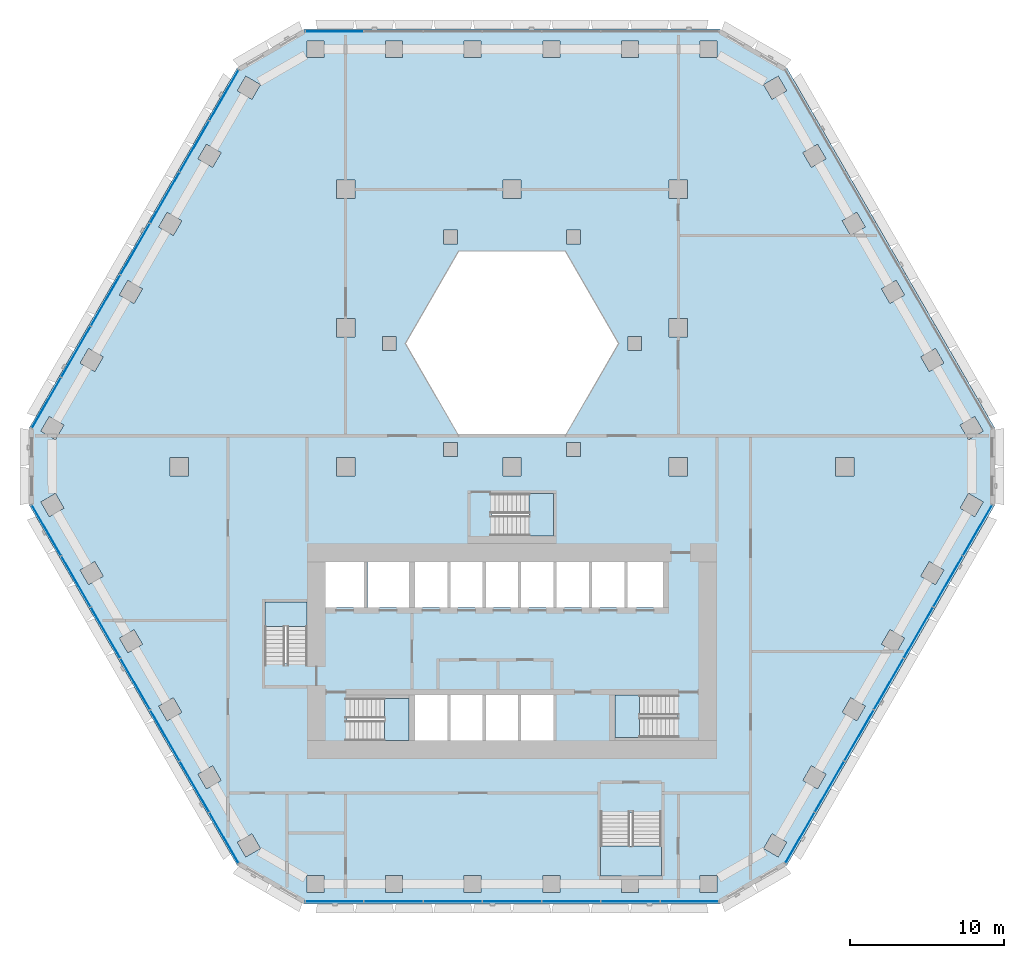
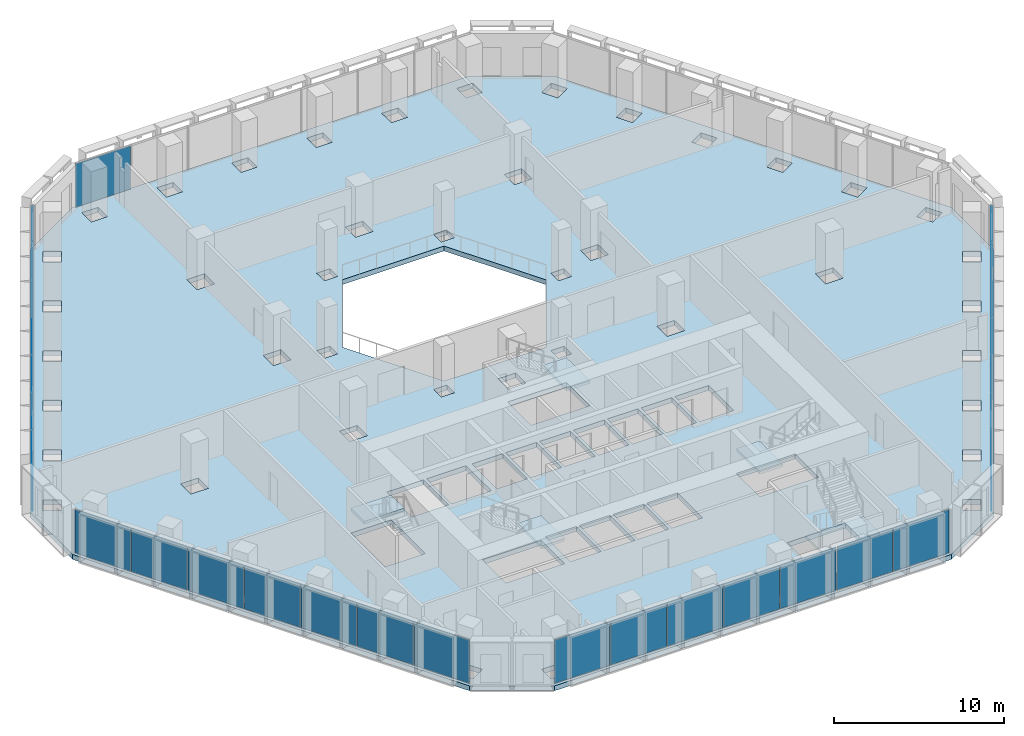
# One storey, part 10 of 25: 29 plates, 6 slabs, 10 elements without a shape of their own.
"""IFC4 building model written with IfcOpenShell, lengths in metres."""

from ifc_helpers import new_model, si_unit, direction, frame, origin, origin_2d, place, context, subcontext, project, spatial, polyline, rectangle, outline, extrude, material, layer, layer_set, type_object, element, aggregate, save


model = new_model("IFC4")

# Units and contexts
model_context = context("Model", 3, precision=1e-05, world=origin(), true_north=direction((0.0, 1.0)))
body_context = subcontext(model_context, "Body", "Model", "MODEL_VIEW")
ifc_project = project(units=[si_unit("LENGTHUNIT", "METRE"), si_unit("AREAUNIT", "SQUARE_METRE"), si_unit("VOLUMEUNIT", "CUBIC_METRE"), si_unit("PLANEANGLEUNIT", "RADIAN"), si_unit("MASSUNIT", "GRAM", prefix="KILO")], contexts=[model_context])

# Site, building, storey
site_placement = place(None, origin())
site = spatial("IfcSite", under=ifc_project, at=site_placement, CompositionType="ELEMENT")
building_placement = place(site_placement, origin())
building = spatial("IfcBuilding", under=site, at=building_placement, Name="Beryl Residences", CompositionType="ELEMENT")
storey_placement = place(building_placement, frame((0.0, 0.0, 16.199951171875)))
storey = spatial("IfcBuildingStorey", under=building, at=storey_placement, Name="L04", CompositionType="ELEMENT", Elevation=16.199951171875)

# Curtain wall, plate
ifc_material_1 = material(Name="Aluminium and clear glass", Category="aluminium")
curtain_wall_type = type_object("IfcCurtainWallType", Name="CW2 amenity glazing glazed wall", PredefinedType="NOTDEFINED", material=ifc_material_1)
curtain_wall_1_placement = place(storey_placement, origin())
curtain_wall_1 = element("IfcCurtainWall", 1, at=curtain_wall_1_placement, inside=storey, type_object=curtain_wall_type, Name="CW2 L04 N", PredefinedType="NOTDEFINED")
ifc_material_2 = material(Name="Clear laminated glass", Category="glass")
ifc_layer_1 = layer(ifc_material_2, 0.028076171875)
ifc_layer_set_1 = layer_set([ifc_layer_1], Name="CW2-P glazing panel 28 mm")
plate_type = type_object("IfcPlateType", Name="CW2-P glazing panel 28 mm", PredefinedType="CURTAIN_PANEL", material=ifc_layer_set_1)
plate_1_placement = place(storey_placement, frame((-11.53076171875, 28.25, 0.06005859375), z_axis=(0.0, 0.0, 1.0), x_axis=(-1.0, 0.0, 0.0)))
plate_1 = element("IfcPlate", 2, at=plate_1_placement, type_object=plate_type, Name="CW2 panel 7.1", PredefinedType="CURTAIN_PANEL", context=body_context, shape_type="SweptSolid", body=[
    extrude(rectangle(XDim=3.758544921875, YDim=0.028076171875, at=origin_2d()), origin(), (0.0, 0.0, 1.0), 3.1298828125),
])
aggregate(curtain_wall_1, [plate_1])

# Curtain wall, plates
curtain_wall_2_placement = place(storey_placement, origin())
curtain_wall_2 = element("IfcCurtainWall", 3, at=curtain_wall_2_placement, inside=storey, type_object=curtain_wall_type, Name="CW2 L04 NW", PredefinedType="NOTDEFINED")
plate_2_placement = place(storey_placement, frame((-18.69970703125, 24.110595703125, 0.06005859375), z_axis=(0.0, 0.0, 1.0), x_axis=(-0.500011643322, -0.866018681405, 0.0)))
plate_2 = element("IfcPlate", 4, at=plate_2_placement, type_object=plate_type, Name="CW2 panel 1.1", PredefinedType="CURTAIN_PANEL", context=body_context, shape_type="SweptSolid", body=[
    extrude(rectangle(XDim=3.758544921875, YDim=0.028076171875, at=origin_2d()), origin(), (0.0, 0.0, 1.0), 3.1298828125),
])
plate_3_placement = place(storey_placement, frame((-20.616455078125, 20.790771484375, 0.06005859375), z_axis=(0.0, 0.0, 1.0), x_axis=(-0.500011643322, -0.866018681405, 0.0)))
plate_3 = element("IfcPlate", 5, at=plate_3_placement, type_object=plate_type, Name="CW2 panel 2.1", PredefinedType="CURTAIN_PANEL", context=body_context, shape_type="SweptSolid", body=[
    extrude(rectangle(XDim=3.78857421875, YDim=0.028076171875, at=origin_2d()), origin(), (0.0, 0.0, 1.0), 3.1298828125),
])
plate_4_placement = place(storey_placement, frame((-22.540771484375, 17.457763671875, 0.06005859375), z_axis=(0.0, 0.0, 1.0), x_axis=(-0.500011643322, -0.866018681405, 0.0)))
plate_4 = element("IfcPlate", 6, at=plate_4_placement, type_object=plate_type, Name="CW2 panel 3.1", PredefinedType="CURTAIN_PANEL", context=body_context, shape_type="SweptSolid", body=[
    extrude(rectangle(XDim=3.78857421875, YDim=0.028076171875, at=origin_2d()), origin(), (0.0, 0.0, 1.0), 3.1298828125),
])
plate_5_placement = place(storey_placement, frame((-24.465087890625, 14.125, 0.06005859375), z_axis=(0.0, 0.0, 1.0), x_axis=(-0.500011643322, -0.866018681405, 0.0)))
plate_5 = element("IfcPlate", 7, at=plate_5_placement, type_object=plate_type, Name="CW2 panel 4.1", PredefinedType="CURTAIN_PANEL", context=body_context, shape_type="SweptSolid", body=[
    extrude(rectangle(XDim=3.78857421875, YDim=0.028076171875, at=origin_2d()), origin(), (0.0, 0.0, 1.0), 3.1298828125),
])
plate_6_placement = place(storey_placement, frame((-26.389404296875, 10.792236328125, 0.06005859375), z_axis=(0.0, 0.0, 1.0), x_axis=(-0.500011643322, -0.866018681405, 0.0)))
plate_6 = element("IfcPlate", 8, at=plate_6_placement, type_object=plate_type, Name="CW2 panel 5.1", PredefinedType="CURTAIN_PANEL", context=body_context, shape_type="SweptSolid", body=[
    extrude(rectangle(XDim=3.78857421875, YDim=0.028076171875, at=origin_2d()), origin(), (0.0, 0.0, 1.0), 3.1298828125),
])
plate_7_placement = place(storey_placement, frame((-28.3134765625, 7.459228515625, 0.06005859375), z_axis=(0.0, 0.0, 1.0), x_axis=(-0.500011643322, -0.866018681405, 0.0)))
plate_7 = element("IfcPlate", 9, at=plate_7_placement, type_object=plate_type, Name="CW2 panel 6.1", PredefinedType="CURTAIN_PANEL", context=body_context, shape_type="SweptSolid", body=[
    extrude(rectangle(XDim=3.78857421875, YDim=0.028076171875, at=origin_2d()), origin(), (0.0, 0.0, 1.0), 3.1298828125),
])
plate_8_placement = place(storey_placement, frame((-30.23046875, 4.139404296875, 0.06005859375), z_axis=(0.0, 0.0, 1.0), x_axis=(-0.500011643322, -0.866018681405, 0.0)))
plate_8 = element("IfcPlate", 10, at=plate_8_placement, type_object=plate_type, Name="CW2 panel 7.1", PredefinedType="CURTAIN_PANEL", context=body_context, shape_type="SweptSolid", body=[
    extrude(rectangle(XDim=3.758544921875, YDim=0.028076171875, at=origin_2d()), origin(), (0.0, 0.0, 1.0), 3.1298828125),
])
aggregate(curtain_wall_2, [plate_2, plate_3, plate_4, plate_5, plate_6, plate_7, plate_8])

curtain_wall_3_placement = place(storey_placement, origin())
curtain_wall_3 = element("IfcCurtainWall", 11, at=curtain_wall_3_placement, inside=storey, type_object=curtain_wall_type, Name="CW2 L04 SW", PredefinedType="NOTDEFINED")
plate_9_placement = place(storey_placement, frame((-30.23046875, -4.139404296875, 0.06005859375), z_axis=(0.0, 0.0, 1.0), x_axis=(0.500011643322, -0.866018681405, 0.0)))
plate_9 = element("IfcPlate", 12, at=plate_9_placement, type_object=plate_type, Name="CW2 panel 1.1", PredefinedType="CURTAIN_PANEL", context=body_context, shape_type="SweptSolid", body=[
    extrude(rectangle(XDim=3.758544921875, YDim=0.028076171875, at=origin_2d()), origin(), (0.0, 0.0, 1.0), 3.1298828125),
])
plate_10_placement = place(storey_placement, frame((-28.3134765625, -7.459228515625, 0.06005859375), z_axis=(0.0, 0.0, 1.0), x_axis=(0.500011643322, -0.866018681405, 0.0)))
plate_10 = element("IfcPlate", 13, at=plate_10_placement, type_object=plate_type, Name="CW2 panel 2.1", PredefinedType="CURTAIN_PANEL", context=body_context, shape_type="SweptSolid", body=[
    extrude(rectangle(XDim=3.78857421875, YDim=0.028076171875, at=origin_2d()), origin(), (0.0, 0.0, 1.0), 3.1298828125),
])
plate_11_placement = place(storey_placement, frame((-26.389404296875, -10.792236328125, 0.06005859375), z_axis=(0.0, 0.0, 1.0), x_axis=(0.500011643322, -0.866018681405, 0.0)))
plate_11 = element("IfcPlate", 14, at=plate_11_placement, type_object=plate_type, Name="CW2 panel 3.1", PredefinedType="CURTAIN_PANEL", context=body_context, shape_type="SweptSolid", body=[
    extrude(rectangle(XDim=3.78857421875, YDim=0.028076171875, at=origin_2d()), origin(), (0.0, 0.0, 1.0), 3.1298828125),
])
plate_12_placement = place(storey_placement, frame((-24.465087890625, -14.125, 0.06005859375), z_axis=(0.0, 0.0, 1.0), x_axis=(0.500011643322, -0.866018681405, 0.0)))
plate_12 = element("IfcPlate", 15, at=plate_12_placement, type_object=plate_type, Name="CW2 panel 4.1", PredefinedType="CURTAIN_PANEL", context=body_context, shape_type="SweptSolid", body=[
    extrude(rectangle(XDim=3.78857421875, YDim=0.028076171875, at=origin_2d()), origin(), (0.0, 0.0, 1.0), 3.1298828125),
])
plate_13_placement = place(storey_placement, frame((-22.540771484375, -17.457763671875, 0.06005859375), z_axis=(0.0, 0.0, 1.0), x_axis=(0.500011643322, -0.866018681405, 0.0)))
plate_13 = element("IfcPlate", 16, at=plate_13_placement, type_object=plate_type, Name="CW2 panel 5.1", PredefinedType="CURTAIN_PANEL", context=body_context, shape_type="SweptSolid", body=[
    extrude(rectangle(XDim=3.78857421875, YDim=0.028076171875, at=origin_2d()), origin(), (0.0, 0.0, 1.0), 3.1298828125),
])
plate_14_placement = place(storey_placement, frame((-20.616455078125, -20.790771484375, 0.06005859375), z_axis=(0.0, 0.0, 1.0), x_axis=(0.500011643322, -0.866018681405, 0.0)))
plate_14 = element("IfcPlate", 17, at=plate_14_placement, type_object=plate_type, Name="CW2 panel 6.1", PredefinedType="CURTAIN_PANEL", context=body_context, shape_type="SweptSolid", body=[
    extrude(rectangle(XDim=3.78857421875, YDim=0.028076171875, at=origin_2d()), origin(), (0.0, 0.0, 1.0), 3.1298828125),
])
plate_15_placement = place(storey_placement, frame((-18.69970703125, -24.110595703125, 0.06005859375), z_axis=(0.0, 0.0, 1.0), x_axis=(0.500011643322, -0.866018681405, 0.0)))
plate_15 = element("IfcPlate", 18, at=plate_15_placement, type_object=plate_type, Name="CW2 panel 7.1", PredefinedType="CURTAIN_PANEL", context=body_context, shape_type="SweptSolid", body=[
    extrude(rectangle(XDim=3.758544921875, YDim=0.028076171875, at=origin_2d()), origin(), (0.0, 0.0, 1.0), 3.1298828125),
])
aggregate(curtain_wall_3, [plate_9, plate_10, plate_11, plate_12, plate_13, plate_14, plate_15])

curtain_wall_4_placement = place(storey_placement, origin())
curtain_wall_4 = element("IfcCurtainWall", 19, at=curtain_wall_4_placement, inside=storey, type_object=curtain_wall_type, Name="CW2 L04 S", PredefinedType="NOTDEFINED")
plate_16_placement = place(storey_placement, frame((-11.53076171875, -28.25, 0.06005859375), z_axis=(0.0, 0.0, 1.0), x_axis=(1.0, 0.0, 0.0)))
plate_16 = element("IfcPlate", 20, at=plate_16_placement, type_object=plate_type, Name="CW2 panel 1.1", PredefinedType="CURTAIN_PANEL", context=body_context, shape_type="SweptSolid", body=[
    extrude(rectangle(XDim=3.758544921875, YDim=0.028076171875, at=origin_2d()), origin(), (0.0, 0.0, 1.0), 3.1298828125),
])
plate_17_placement = place(storey_placement, frame((-7.697021484375, -28.25, 0.06005859375), z_axis=(0.0, 0.0, 1.0), x_axis=(1.0, 0.0, 0.0)))
plate_17 = element("IfcPlate", 21, at=plate_17_placement, type_object=plate_type, Name="CW2 panel 2.1", PredefinedType="CURTAIN_PANEL", context=body_context, shape_type="SweptSolid", body=[
    extrude(rectangle(XDim=3.78857421875, YDim=0.028076171875, at=origin_2d()), origin(), (0.0, 0.0, 1.0), 3.1298828125),
])
plate_18_placement = place(storey_placement, frame((-3.8486328125, -28.25, 0.06005859375), z_axis=(0.0, 0.0, 1.0), x_axis=(1.0, 0.0, 0.0)))
plate_18 = element("IfcPlate", 22, at=plate_18_placement, type_object=plate_type, Name="CW2 panel 3.1", PredefinedType="CURTAIN_PANEL", context=body_context, shape_type="SweptSolid", body=[
    extrude(rectangle(XDim=3.78857421875, YDim=0.028076171875, at=origin_2d()), origin(), (0.0, 0.0, 1.0), 3.1298828125),
])
plate_19_placement = place(storey_placement, frame((0.0, -28.25, 0.06005859375), z_axis=(0.0, 0.0, 1.0), x_axis=(1.0, 0.0, 0.0)))
plate_19 = element("IfcPlate", 23, at=plate_19_placement, type_object=plate_type, Name="CW2 panel 4.1", PredefinedType="CURTAIN_PANEL", context=body_context, shape_type="SweptSolid", body=[
    extrude(rectangle(XDim=3.78857421875, YDim=0.028076171875, at=origin_2d()), origin(), (0.0, 0.0, 1.0), 3.1298828125),
])
plate_20_placement = place(storey_placement, frame((3.8486328125, -28.25, 0.06005859375), z_axis=(0.0, 0.0, 1.0), x_axis=(1.0, 0.0, 0.0)))
plate_20 = element("IfcPlate", 24, at=plate_20_placement, type_object=plate_type, Name="CW2 panel 5.1", PredefinedType="CURTAIN_PANEL", context=body_context, shape_type="SweptSolid", body=[
    extrude(rectangle(XDim=3.78857421875, YDim=0.028076171875, at=origin_2d()), origin(), (0.0, 0.0, 1.0), 3.1298828125),
])
plate_21_placement = place(storey_placement, frame((7.697021484375, -28.25, 0.06005859375), z_axis=(0.0, 0.0, 1.0), x_axis=(1.0, 0.0, 0.0)))
plate_21 = element("IfcPlate", 25, at=plate_21_placement, type_object=plate_type, Name="CW2 panel 6.1", PredefinedType="CURTAIN_PANEL", context=body_context, shape_type="SweptSolid", body=[
    extrude(rectangle(XDim=3.78857421875, YDim=0.028076171875, at=origin_2d()), origin(), (0.0, 0.0, 1.0), 3.1298828125),
])
plate_22_placement = place(storey_placement, frame((11.53076171875, -28.25, 0.06005859375), z_axis=(0.0, 0.0, 1.0), x_axis=(1.0, 0.0, 0.0)))
plate_22 = element("IfcPlate", 26, at=plate_22_placement, type_object=plate_type, Name="CW2 panel 7.1", PredefinedType="CURTAIN_PANEL", context=body_context, shape_type="SweptSolid", body=[
    extrude(rectangle(XDim=3.758544921875, YDim=0.028076171875, at=origin_2d()), origin(), (0.0, 0.0, 1.0), 3.1298828125),
])
aggregate(curtain_wall_4, [plate_16, plate_17, plate_18, plate_19, plate_20, plate_21, plate_22])

curtain_wall_5_placement = place(storey_placement, origin())
curtain_wall_5 = element("IfcCurtainWall", 27, at=curtain_wall_5_placement, inside=storey, type_object=curtain_wall_type, Name="CW2 L04 SE", PredefinedType="NOTDEFINED")
plate_23_placement = place(storey_placement, frame((18.69970703125, -24.110595703125, 0.06005859375), z_axis=(0.0, 0.0, 1.0), x_axis=(0.500011643322, 0.866018681405, 0.0)))
plate_23 = element("IfcPlate", 28, at=plate_23_placement, type_object=plate_type, Name="CW2 panel 1.1", PredefinedType="CURTAIN_PANEL", context=body_context, shape_type="SweptSolid", body=[
    extrude(rectangle(XDim=3.758544921875, YDim=0.028076171875, at=origin_2d()), origin(), (0.0, 0.0, 1.0), 3.1298828125),
])
plate_24_placement = place(storey_placement, frame((20.616455078125, -20.790771484375, 0.06005859375), z_axis=(0.0, 0.0, 1.0), x_axis=(0.500011643322, 0.866018681405, 0.0)))
plate_24 = element("IfcPlate", 29, at=plate_24_placement, type_object=plate_type, Name="CW2 panel 2.1", PredefinedType="CURTAIN_PANEL", context=body_context, shape_type="SweptSolid", body=[
    extrude(rectangle(XDim=3.78857421875, YDim=0.028076171875, at=origin_2d()), origin(), (0.0, 0.0, 1.0), 3.1298828125),
])
plate_25_placement = place(storey_placement, frame((22.540771484375, -17.457763671875, 0.06005859375), z_axis=(0.0, 0.0, 1.0), x_axis=(0.500011643322, 0.866018681405, 0.0)))
plate_25 = element("IfcPlate", 30, at=plate_25_placement, type_object=plate_type, Name="CW2 panel 3.1", PredefinedType="CURTAIN_PANEL", context=body_context, shape_type="SweptSolid", body=[
    extrude(rectangle(XDim=3.78857421875, YDim=0.028076171875, at=origin_2d()), origin(), (0.0, 0.0, 1.0), 3.1298828125),
])
plate_26_placement = place(storey_placement, frame((24.465087890625, -14.125, 0.06005859375), z_axis=(0.0, 0.0, 1.0), x_axis=(0.500011643322, 0.866018681405, 0.0)))
plate_26 = element("IfcPlate", 31, at=plate_26_placement, type_object=plate_type, Name="CW2 panel 4.1", PredefinedType="CURTAIN_PANEL", context=body_context, shape_type="SweptSolid", body=[
    extrude(rectangle(XDim=3.78857421875, YDim=0.028076171875, at=origin_2d()), origin(), (0.0, 0.0, 1.0), 3.1298828125),
])
plate_27_placement = place(storey_placement, frame((26.389404296875, -10.792236328125, 0.06005859375), z_axis=(0.0, 0.0, 1.0), x_axis=(0.500011643322, 0.866018681405, 0.0)))
plate_27 = element("IfcPlate", 32, at=plate_27_placement, type_object=plate_type, Name="CW2 panel 5.1", PredefinedType="CURTAIN_PANEL", context=body_context, shape_type="SweptSolid", body=[
    extrude(rectangle(XDim=3.78857421875, YDim=0.028076171875, at=origin_2d()), origin(), (0.0, 0.0, 1.0), 3.1298828125),
])
plate_28_placement = place(storey_placement, frame((28.3134765625, -7.459228515625, 0.06005859375), z_axis=(0.0, 0.0, 1.0), x_axis=(0.500011643322, 0.866018681405, 0.0)))
plate_28 = element("IfcPlate", 33, at=plate_28_placement, type_object=plate_type, Name="CW2 panel 6.1", PredefinedType="CURTAIN_PANEL", context=body_context, shape_type="SweptSolid", body=[
    extrude(rectangle(XDim=3.78857421875, YDim=0.028076171875, at=origin_2d()), origin(), (0.0, 0.0, 1.0), 3.1298828125),
])
plate_29_placement = place(storey_placement, frame((30.23046875, -4.139404296875, 0.06005859375), z_axis=(0.0, 0.0, 1.0), x_axis=(0.500011643322, 0.866018681405, 0.0)))
plate_29 = element("IfcPlate", 34, at=plate_29_placement, type_object=plate_type, Name="CW2 panel 7.1", PredefinedType="CURTAIN_PANEL", context=body_context, shape_type="SweptSolid", body=[
    extrude(rectangle(XDim=3.758544921875, YDim=0.028076171875, at=origin_2d()), origin(), (0.0, 0.0, 1.0), 3.1298828125),
])
aggregate(curtain_wall_5, [plate_23, plate_24, plate_25, plate_26, plate_27, plate_28, plate_29])

# Slab
ifc_material_3 = material(Name="Concrete C40/50", Category="concrete")
ifc_layer_2 = layer(ifc_material_3, 0.35009765625)
ifc_layer_set_2 = layer_set([ifc_layer_2], Name="SL5 PT floor slab 350 mm C40/50")
slab_type_1 = type_object("IfcSlabType", Name="SL5 PT floor slab 350 mm C40/50", PredefinedType="FLOOR", material=ifc_layer_set_2)
slab_1_placement = place(storey_placement, frame((0.0, 0.0, -0.349853515625)))
element("IfcSlab", 35, at=slab_1_placement, inside=storey, type_object=slab_type_1, Name="L04 slab 1", PredefinedType="FLOOR", context=body_context, shape_type="SweptSolid", body=[
    extrude(outline(polyline([(31.35009765625, -2.5), (17.840087890625, -25.89990234375), (13.510009765625, -28.39990234375), (-13.510009765625, -28.39990234375), (-17.840087890625, -25.89990234375), (-31.35009765625, -2.5), (-31.35009765625, 2.5), (-17.840087890625, 25.89990234375), (-13.510009765625, 28.39990234375), (13.510009765625, 28.39990234375), (17.840087890625, 25.89990234375), (31.35009765625, 2.5), (31.35009765625, -2.5)]), holes=[polyline([(29.64794921875, -1.748046875), (29.097900390625, -2.699951171875), (30.050048828125, -3.25), (30.60009765625, -2.298095703125), (29.64794921875, -1.748046875)]), polyline([(30.59912109375, 2.299072265625), (30.049072265625, 3.2509765625), (29.096923828125, 2.700927734375), (29.64697265625, 1.7490234375), (30.59912109375, 2.299072265625)]), polyline([(28.049072265625, -6.718017578125), (27.096923828125, -6.16796875), (26.547119140625, -7.1201171875), (27.4990234375, -7.669921875), (28.049072265625, -6.718017578125)]), polyline([(26.5458984375, 7.1220703125), (27.095947265625, 6.169921875), (28.048095703125, 6.719970703125), (27.498046875, 7.672119140625), (26.5458984375, 7.1220703125)]), polyline([(25.4970703125, -11.137939453125), (24.544921875, -10.587890625), (23.9951171875, -11.5400390625), (24.947021484375, -12.090087890625), (25.4970703125, -11.137939453125)]), polyline([(24.946044921875, 12.092041015625), (23.993896484375, 11.5419921875), (24.5439453125, 10.590087890625), (25.49609375, 11.139892578125), (24.946044921875, 12.092041015625)]), polyline([(21.992919921875, -15.008056640625), (21.443115234375, -15.9599609375), (22.39501953125, -16.510009765625), (22.945068359375, -15.55810546875), (21.992919921875, -15.008056640625)]), polyline([(22.39404296875, 16.511962890625), (21.44189453125, 15.9619140625), (21.991943359375, 15.010009765625), (22.944091796875, 15.56005859375), (22.39404296875, 16.511962890625)]), polyline([(21.0, -0.60009765625), (22.199951171875, -0.60009765625), (22.199951171875, 0.60009765625), (21.0, 0.60009765625), (21.0, -0.60009765625)]), polyline([(19.843017578125, -20.930908203125), (20.39306640625, -19.97900390625), (19.44091796875, -19.428955078125), (18.89111328125, -20.381103515625), (19.843017578125, -20.930908203125)]), polyline([(19.842041015625, 20.931884765625), (18.889892578125, 20.382080078125), (19.43994140625, 19.429931640625), (20.39208984375, 19.97998046875), (19.842041015625, 20.931884765625)]), polyline([(17.841064453125, -24.39892578125), (16.888916015625, -23.84912109375), (16.339111328125, -24.801025390625), (17.291015625, -25.35107421875), (17.841064453125, -24.39892578125)]), polyline([(17.840087890625, 24.39990234375), (17.2900390625, 25.35205078125), (16.337890625, 24.802001953125), (16.887939453125, 23.85009765625), (17.840087890625, 24.39990234375)]), polyline([(13.31103515625, -27.64990234375), (13.31103515625, -26.550048828125), (12.2109375, -26.550048828125), (12.2109375, -27.64990234375), (13.31103515625, -27.64990234375)]), polyline([(13.30908203125, 27.64990234375), (12.208984375, 27.64990234375), (12.208984375, 26.550048828125), (13.30908203125, 26.550048828125), (13.30908203125, 27.64990234375)]), polyline([(11.39990234375, 17.39990234375), (11.39990234375, 18.60009765625), (10.199951171875, 18.60009765625), (10.199951171875, 17.39990234375), (11.39990234375, 17.39990234375)]), polyline([(11.39990234375, -0.60009765625), (11.39990234375, 0.60009765625), (10.199951171875, 0.60009765625), (10.199951171875, -0.60009765625), (11.39990234375, -0.60009765625)]), polyline([(11.39990234375, 8.39990234375), (11.39990234375, 9.60009765625), (10.199951171875, 9.60009765625), (10.199951171875, 8.39990234375), (11.39990234375, 8.39990234375)]), polyline([(6.699951171875, -14.85009765625), (6.699951171875, -17.60009765625), (10.699951171875, -17.60009765625), (10.699951171875, -14.85009765625), (6.699951171875, -14.85009765625)]), polyline([(9.800048828125, -6.199951171875), (7.5, -6.199951171875), (7.5, -9.14990234375), (9.800048828125, -9.14990234375), (9.800048828125, -6.199951171875)]), polyline([(7.10693359375, -27.64990234375), (8.20703125, -27.64990234375), (8.20703125, -26.60009765625), (9.699951171875, -26.60009765625), (9.699951171875, -22.5), (5.75, -22.5), (5.75, -26.60009765625), (7.10693359375, -26.60009765625), (7.10693359375, -27.64990234375)]), polyline([(8.4169921875, 7.550048828125), (8.4169921875, 8.449951171875), (7.51708984375, 8.449951171875), (7.51708984375, 7.550048828125), (8.4169921875, 7.550048828125)]), polyline([(7.10498046875, 27.64990234375), (7.10498046875, 26.550048828125), (8.205078125, 26.550048828125), (8.205078125, 27.64990234375), (7.10498046875, 27.64990234375)]), polyline([(5.199951171875, -6.199951171875), (5.199951171875, -9.14990234375), (7.300048828125, -9.14990234375), (7.300048828125, -6.199951171875), (5.199951171875, -6.199951171875)]), polyline([(3.464111328125, 14.0), (-3.464111328125, 14.0), (-6.92822265625, 8.0), (-3.464111328125, 2.0), (3.464111328125, 2.0), (6.92822265625, 8.0), (3.464111328125, 14.0)]), polyline([(2.89990234375, -9.14990234375), (5.0, -9.14990234375), (5.0, -6.199951171875), (2.89990234375, -6.199951171875), (2.89990234375, -9.14990234375)]), polyline([(4.43408203125, 14.449951171875), (4.43408203125, 15.35009765625), (3.533935546875, 15.35009765625), (3.533935546875, 14.449951171875), (4.43408203125, 14.449951171875)]), polyline([(4.43408203125, 0.64990234375), (4.43408203125, 1.550048828125), (3.533935546875, 1.550048828125), (3.533935546875, 0.64990234375), (4.43408203125, 0.64990234375)]), polyline([(3.10302734375, -27.64990234375), (3.10302734375, -26.550048828125), (2.0029296875, -26.550048828125), (2.0029296875, -27.64990234375), (3.10302734375, -27.64990234375)]), polyline([(2.0009765625, 26.550048828125), (3.10107421875, 26.550048828125), (3.10107421875, 27.64990234375), (2.0009765625, 27.64990234375), (2.0009765625, 26.550048828125)]), polyline([(-1.300048828125, -1.75), (-1.300048828125, -4.5), (2.699951171875, -4.5), (2.699951171875, -1.75), (-1.300048828125, -1.75)]), polyline([(0.60009765625, -9.14990234375), (2.699951171875, -9.14990234375), (2.699951171875, -6.199951171875), (0.60009765625, -6.199951171875), (0.60009765625, -9.14990234375)]), polyline([(0.60009765625, -17.800048828125), (2.699951171875, -17.800048828125), (2.699951171875, -14.85009765625), (0.60009765625, -14.85009765625), (0.60009765625, -17.800048828125)]), polyline([(0.60009765625, -0.60009765625), (0.60009765625, 0.60009765625), (-0.60009765625, 0.60009765625), (-0.60009765625, -0.60009765625), (0.60009765625, -0.60009765625)]), polyline([(0.60009765625, 17.39990234375), (0.60009765625, 18.60009765625), (-0.60009765625, 18.60009765625), (-0.60009765625, 17.39990234375), (0.60009765625, 17.39990234375)]), polyline([(-1.699951171875, -9.14990234375), (0.39990234375, -9.14990234375), (0.39990234375, -6.199951171875), (-1.699951171875, -6.199951171875), (-1.699951171875, -9.14990234375)]), polyline([(-1.699951171875, -17.800048828125), (0.39990234375, -17.800048828125), (0.39990234375, -14.85009765625), (-1.699951171875, -14.85009765625), (-1.699951171875, -17.800048828125)]), polyline([(-4.0, -17.800048828125), (-1.89990234375, -17.800048828125), (-1.89990234375, -14.85009765625), (-4.0, -14.85009765625), (-4.0, -17.800048828125)]), polyline([(-4.0, -6.199951171875), (-4.0, -9.14990234375), (-1.89990234375, -9.14990234375), (-1.89990234375, -6.199951171875), (-4.0, -6.199951171875)]), polyline([(-2.0009765625, -26.550048828125), (-3.10107421875, -26.550048828125), (-3.10107421875, -27.64990234375), (-2.0009765625, -27.64990234375), (-2.0009765625, -26.550048828125)]), polyline([(-3.10302734375, 27.64990234375), (-3.10302734375, 26.550048828125), (-2.0029296875, 26.550048828125), (-2.0029296875, 27.64990234375), (-3.10302734375, 27.64990234375)]), polyline([(-3.533935546875, 15.35009765625), (-4.43408203125, 15.35009765625), (-4.43408203125, 14.449951171875), (-3.533935546875, 14.449951171875), (-3.533935546875, 15.35009765625)]), polyline([(-3.533935546875, 0.64990234375), (-3.533935546875, 1.550048828125), (-4.43408203125, 1.550048828125), (-4.43408203125, 0.64990234375), (-3.533935546875, 0.64990234375)]), polyline([(-4.199951171875, -6.199951171875), (-6.300048828125, -6.199951171875), (-6.300048828125, -9.14990234375), (-4.199951171875, -9.14990234375), (-4.199951171875, -6.199951171875)]), polyline([(-6.300048828125, -17.800048828125), (-4.199951171875, -17.800048828125), (-4.199951171875, -14.85009765625), (-6.300048828125, -14.85009765625), (-6.300048828125, -17.800048828125)]), polyline([(-6.699951171875, -17.800048828125), (-6.699951171875, -15.050048828125), (-10.699951171875, -15.050048828125), (-10.699951171875, -17.800048828125), (-6.699951171875, -17.800048828125)]), polyline([(-9.39990234375, -9.14990234375), (-6.699951171875, -9.14990234375), (-6.699951171875, -6.199951171875), (-9.39990234375, -6.199951171875), (-9.39990234375, -9.14990234375)]), polyline([(-8.205078125, -27.64990234375), (-7.10498046875, -27.64990234375), (-7.10498046875, -26.550048828125), (-8.205078125, -26.550048828125), (-8.205078125, -27.64990234375)]), polyline([(-8.20703125, 27.64990234375), (-8.20703125, 26.550048828125), (-7.10693359375, 26.550048828125), (-7.10693359375, 27.64990234375), (-8.20703125, 27.64990234375)]), polyline([(-7.51708984375, 7.550048828125), (-7.51708984375, 8.449951171875), (-8.4169921875, 8.449951171875), (-8.4169921875, 7.550048828125), (-7.51708984375, 7.550048828125)]), polyline([(-12.10009765625, -9.14990234375), (-9.60009765625, -9.14990234375), (-9.60009765625, -6.199951171875), (-12.10009765625, -6.199951171875), (-12.10009765625, -9.14990234375)]), polyline([(-10.199951171875, 17.39990234375), (-10.199951171875, 18.60009765625), (-11.39990234375, 18.60009765625), (-11.39990234375, 17.39990234375), (-10.199951171875, 17.39990234375)]), polyline([(-11.39990234375, 8.39990234375), (-10.199951171875, 8.39990234375), (-10.199951171875, 9.60009765625), (-11.39990234375, 9.60009765625), (-11.39990234375, 8.39990234375)]), polyline([(-10.199951171875, -0.60009765625), (-10.199951171875, 0.60009765625), (-11.39990234375, 0.60009765625), (-11.39990234375, -0.60009765625), (-10.199951171875, -0.60009765625)]), polyline([(-12.208984375, -26.550048828125), (-13.30908203125, -26.550048828125), (-13.30908203125, -27.64990234375), (-12.208984375, -27.64990234375), (-12.208984375, -26.550048828125)]), polyline([(-13.31103515625, 27.64990234375), (-13.31103515625, 26.550048828125), (-12.2109375, 26.550048828125), (-12.2109375, 27.64990234375), (-13.31103515625, 27.64990234375)]), polyline([(-13.300048828125, -8.800048828125), (-16.050048828125, -8.800048828125), (-16.050048828125, -12.800048828125), (-13.300048828125, -12.800048828125), (-13.300048828125, -8.800048828125)]), polyline([(-17.2900390625, -25.35205078125), (-16.337890625, -24.802001953125), (-16.887939453125, -23.85009765625), (-17.840087890625, -24.39990234375), (-17.2900390625, -25.35205078125)]), polyline([(-16.888916015625, 23.84912109375), (-16.339111328125, 24.801025390625), (-17.291015625, 25.35107421875), (-17.841064453125, 24.39892578125), (-16.888916015625, 23.84912109375)]), polyline([(-19.842041015625, -20.931884765625), (-18.889892578125, -20.382080078125), (-19.43994140625, -19.429931640625), (-20.39208984375, -19.97998046875), (-19.842041015625, -20.931884765625)]), polyline([(-20.39306640625, 19.97900390625), (-19.44091796875, 19.428955078125), (-18.89111328125, 20.381103515625), (-19.843017578125, 20.930908203125), (-20.39306640625, 19.97900390625)]), polyline([(-21.0, -0.60009765625), (-21.0, 0.60009765625), (-22.199951171875, 0.60009765625), (-22.199951171875, -0.60009765625), (-21.0, -0.60009765625)]), polyline([(-21.44189453125, -15.9619140625), (-21.991943359375, -15.010009765625), (-22.944091796875, -15.56005859375), (-22.39404296875, -16.511962890625), (-21.44189453125, -15.9619140625)]), polyline([(-21.992919921875, 15.008056640625), (-21.443115234375, 15.9599609375), (-22.39501953125, 16.510009765625), (-22.945068359375, 15.55810546875), (-21.992919921875, 15.008056640625)]), polyline([(-24.946044921875, -12.092041015625), (-23.993896484375, -11.5419921875), (-24.5439453125, -10.590087890625), (-25.49609375, -11.139892578125), (-24.946044921875, -12.092041015625)]), polyline([(-25.4970703125, 11.137939453125), (-24.544921875, 10.587890625), (-23.9951171875, 11.5400390625), (-24.947021484375, 12.090087890625), (-25.4970703125, 11.137939453125)]), polyline([(-27.498046875, -7.672119140625), (-26.5458984375, -7.1220703125), (-27.095947265625, -6.169921875), (-28.048095703125, -6.719970703125), (-27.498046875, -7.672119140625)]), polyline([(-28.049072265625, 6.718017578125), (-27.096923828125, 6.16796875), (-26.547119140625, 7.1201171875), (-27.4990234375, 7.669921875), (-28.049072265625, 6.718017578125)]), polyline([(-29.096923828125, -2.700927734375), (-29.64697265625, -1.7490234375), (-30.59912109375, -2.299072265625), (-30.049072265625, -3.2509765625), (-29.096923828125, -2.700927734375)]), polyline([(-30.60009765625, 2.298095703125), (-29.64794921875, 1.748046875), (-29.097900390625, 2.699951171875), (-30.050048828125, 3.25), (-30.60009765625, 2.298095703125)])]), origin(), (0.0, 0.0, 1.0), 0.349853515625),
])

# Stair, slab
ifc_material_4 = material(Name="Concrete C40/50", Category="concrete")
stair_type = type_object("IfcStairType", Name="ST1 protected exit stair, half-turn, 1300 mm flights", PredefinedType="HALF_TURN_STAIR", material=ifc_material_4)
stair_1_placement = place(storey_placement, origin())
stair_1 = element("IfcStair", 36, at=stair_1_placement, inside=storey, type_object=stair_type, Name="L04 Podium exit stair 7", PredefinedType="HALF_TURN_STAIR")
ifc_material_5 = material(Name="Concrete C40/50", Category="concrete")
ifc_layer_3 = layer(ifc_material_5, 0.199951171875)
ifc_layer_set_3 = layer_set([ifc_layer_3], Name="SLD1 stair landing 200 mm")
slab_type_2 = type_object("IfcSlabType", Name="SLD1 stair landing 200 mm", PredefinedType="LANDING", material=ifc_layer_set_3)
slab_2_placement = place(storey_placement, frame((0.0, 0.0, 1.60009765625)))
slab_2 = element("IfcSlab", 37, at=slab_2_placement, type_object=slab_type_2, Name="PS-7 landing 1", PredefinedType="LANDING", context=body_context, shape_type="SweptSolid", body=[
    extrude(outline(polyline([(5.75, -24.64990234375), (5.75, -26.60009765625), (9.699951171875, -26.60009765625), (9.699951171875, -24.64990234375), (5.75, -24.64990234375)])), origin(), (0.0, 0.0, 1.0), 0.199951171875),
])
aggregate(stair_1, [slab_2])

stair_2_placement = place(storey_placement, origin())
stair_2 = element("IfcStair", 38, at=stair_2_placement, inside=storey, type_object=stair_type, Name="L04 PROTECTED EXIT STAIR ST-1", PredefinedType="HALF_TURN_STAIR")
slab_3_placement = place(storey_placement, frame((0.0, 0.0, 1.60009765625)))
slab_3 = element("IfcSlab", 39, at=slab_3_placement, type_object=slab_type_2, Name="ST-1 landing 1", PredefinedType="LANDING", context=body_context, shape_type="SweptSolid", body=[
    extrude(outline(polyline([(-8.280029296875, -17.800048828125), (-6.699951171875, -17.800048828125), (-6.699951171875, -15.050048828125), (-8.280029296875, -15.050048828125), (-8.280029296875, -17.800048828125)])), origin(), (0.0, 0.0, 1.0), 0.199951171875),
])
aggregate(stair_2, [slab_3])

stair_3_placement = place(storey_placement, origin())
stair_3 = element("IfcStair", 40, at=stair_3_placement, inside=storey, type_object=stair_type, Name="L04 PROTECTED EXIT STAIR ST-2", PredefinedType="HALF_TURN_STAIR")
slab_4_placement = place(storey_placement, frame((0.0, 0.0, 1.60009765625)))
slab_4 = element("IfcSlab", 41, at=slab_4_placement, type_object=slab_type_2, Name="ST-2 landing 1", PredefinedType="LANDING", context=body_context, shape_type="SweptSolid", body=[
    extrude(outline(polyline([(-13.300048828125, -10.3798828125), (-13.300048828125, -8.800048828125), (-16.050048828125, -8.800048828125), (-16.050048828125, -10.3798828125), (-13.300048828125, -10.3798828125)])), origin(), (0.0, 0.0, 1.0), 0.199951171875),
])
aggregate(stair_3, [slab_4])

stair_4_placement = place(storey_placement, origin())
stair_4 = element("IfcStair", 42, at=stair_4_placement, inside=storey, type_object=stair_type, Name="L04 PROTECTED EXIT STAIR ST-3", PredefinedType="HALF_TURN_STAIR")
slab_5_placement = place(storey_placement, frame((0.0, 0.0, 1.60009765625)))
slab_5 = element("IfcSlab", 43, at=slab_5_placement, type_object=slab_type_2, Name="ST-3 landing 1", PredefinedType="LANDING", context=body_context, shape_type="SweptSolid", body=[
    extrude(outline(polyline([(8.280029296875, -14.85009765625), (6.699951171875, -14.85009765625), (6.699951171875, -17.60009765625), (8.280029296875, -17.60009765625), (8.280029296875, -14.85009765625)])), origin(), (0.0, 0.0, 1.0), 0.199951171875),
])
aggregate(stair_4, [slab_5])

stair_5_placement = place(storey_placement, origin())
stair_5 = element("IfcStair", 44, at=stair_5_placement, inside=storey, type_object=stair_type, Name="L04 PROTECTED EXIT STAIR ST-4", PredefinedType="HALF_TURN_STAIR")
slab_6_placement = place(storey_placement, frame((0.0, 0.0, 1.60009765625)))
slab_6 = element("IfcSlab", 45, at=slab_6_placement, type_object=slab_type_2, Name="ST-4 landing 1", PredefinedType="LANDING", context=body_context, shape_type="SweptSolid", body=[
    extrude(outline(polyline([(1.1201171875, -4.5), (2.699951171875, -4.5), (2.699951171875, -1.75), (1.1201171875, -1.75), (1.1201171875, -4.5)])), origin(), (0.0, 0.0, 1.0), 0.199951171875),
])
aggregate(stair_5, [slab_6])

save(model, "model.ifc")
